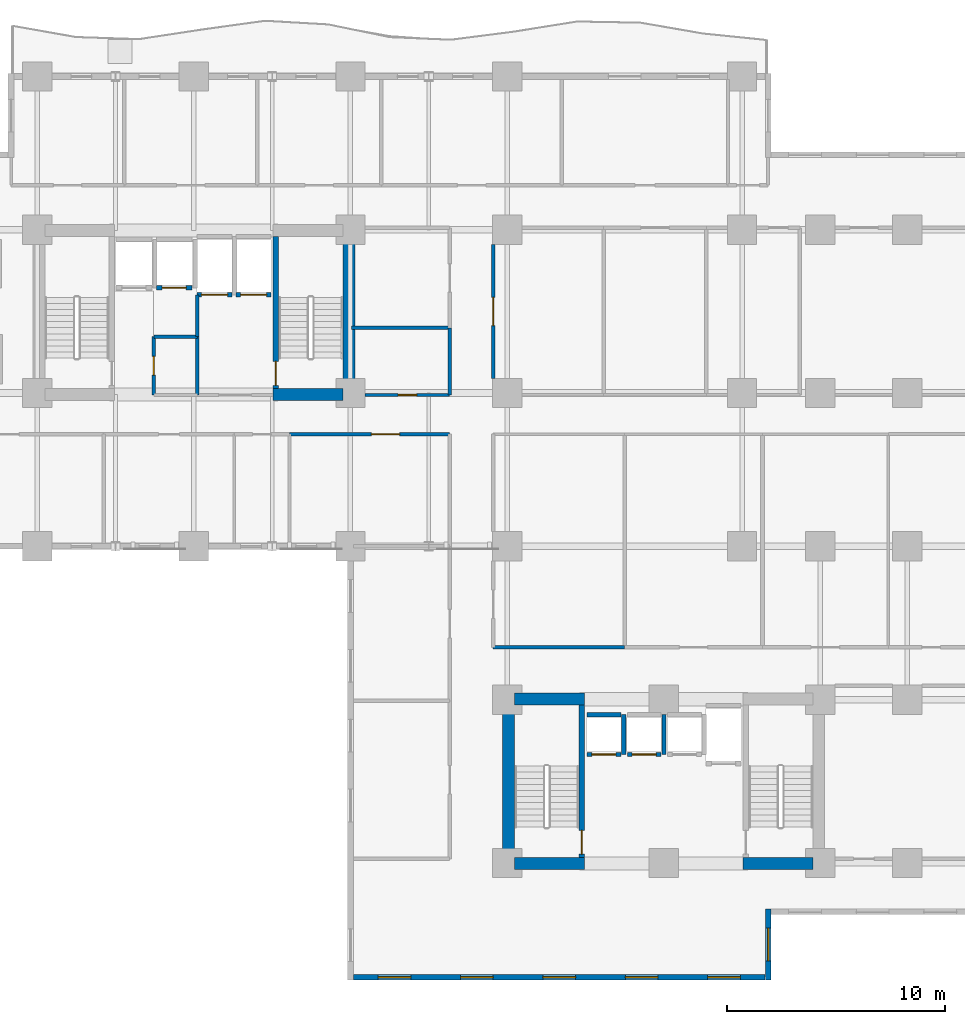
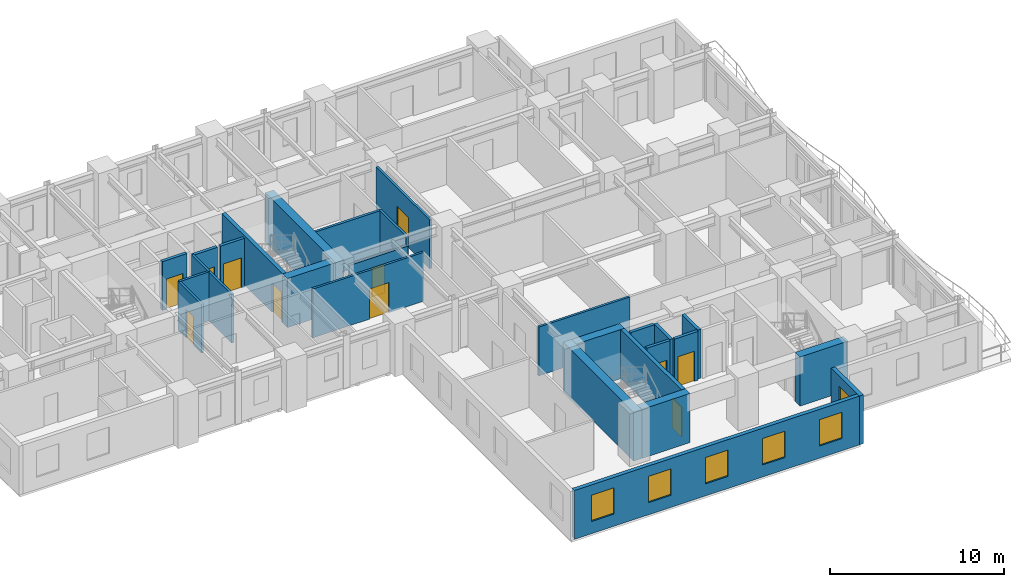
# One storey, part 4 of 11: 28 walls, 11 doors, 6 windows, 17 openings.
"""IFC4 building model written with IfcOpenShell, lengths in metres."""

from ifc_helpers import new_model, si_unit, direction, frame, frame_2d, origin, place, context, subcontext, project, spatial, rectangle, extrude, material, layer, layer_set, type_object, element, fill, save


model = new_model("IFC4")

# Units and contexts
model_context = context("Model", 3, precision=1e-05, world=origin(), true_north=direction((0.0, 1.0)))
body_context = subcontext(model_context, "Body", "Model", "MODEL_VIEW")
ifc_project = project(units=[si_unit("LENGTHUNIT", "METRE"), si_unit("AREAUNIT", "SQUARE_METRE"), si_unit("VOLUMEUNIT", "CUBIC_METRE"), si_unit("PLANEANGLEUNIT", "RADIAN"), si_unit("MASSUNIT", "GRAM", prefix="KILO")], contexts=[model_context])

# Site, building, storey
site_placement = place(None, origin())
site = spatial("IfcSite", under=ifc_project, at=site_placement, CompositionType="ELEMENT")
building_placement = place(site_placement, origin())
building = spatial("IfcBuilding", under=site, at=building_placement, Name="Kaliganga Portal Commons", CompositionType="ELEMENT")
storey_placement = place(building_placement, frame((0.0, 0.0, 66.0)))
storey = spatial("IfcBuildingStorey", under=building, at=storey_placement, Name="L16", CompositionType="ELEMENT", Elevation=66.0)

# Walls
ifc_material_1 = material(Name="Concrete C60/75", Category="concrete")
ifc_layer_1 = layer(ifc_material_1, 0.550048828125)
ifc_layer_set_1 = layer_set([ifc_layer_1], Name="Concrete C60/75")
wall_type_1 = type_object("IfcWallType", Name="WL-CORE-550", PredefinedType="SHEAR", material=ifc_layer_set_1)
wall_1_placement = place(storey_placement, frame((28.72509765625, 28.300048828125, 0.0), z_axis=(0.0, 0.0, 1.0), x_axis=(0.0, 1.0, 0.0)))
element("IfcWall", 1, at=wall_1_placement, inside=storey, type_object=wall_type_1, Name="Core A East Shear Wall L16", PredefinedType="SHEAR", context=body_context, shape_type="SweptSolid", body=[
    extrude(rectangle(XDim=8.099853515625, YDim=0.550048828125, at=frame_2d((4.0498046875, 0.0))), origin(), (0.0, 0.0, 1.0), 3.449951171875),
])
wall_2_placement = place(storey_placement, frame((25.25, 28.574951171875, 0.0), z_axis=(0.0, 0.0, 1.0), x_axis=(1.0, 0.0, 0.0)))
element("IfcWall", 2, at=wall_2_placement, inside=storey, type_object=wall_type_1, Name="Core A S-East Shear Wall L16", PredefinedType="SHEAR", context=body_context, shape_type="SweptSolid", body=[
    extrude(rectangle(XDim=3.199951171875, YDim=0.550048828125, at=frame_2d((1.60009765625, 0.0))), origin(), (0.0, 0.0, 1.0), 3.449951171875),
])
wall_3_placement = place(storey_placement, frame((36.074951171875, 6.75, 0.0), z_axis=(0.0, 0.0, 1.0), x_axis=(0.0, 1.0, 0.0)))
element("IfcWall", 3, at=wall_3_placement, inside=storey, type_object=wall_type_1, Name="Core B West Shear Wall L16", PredefinedType="SHEAR", context=body_context, shape_type="SweptSolid", body=[
    extrude(rectangle(XDim=8.10009765625, YDim=0.550048828125, at=frame_2d((4.050048828125, 0.0))), origin(), (0.0, 0.0, 1.0), 3.449951171875),
])
for number, where, z_axis, x_axis, name in (
    (4, (36.35009765625, 7.02490234375, 0.0), (0.0, 0.0, 1.0), (1.0, 0.0, 0.0), "Core B S-West Shear Wall L16"),
    (5, (46.85009765625, 7.02490234375, 0.0), (0.0, 0.0, 1.0), (1.0, 0.0, 0.0), "Core B S-East Shear Wall L16"),
    (6, (36.35009765625, 14.574951171875, 0.0), (0.0, 0.0, 1.0), (1.0, 0.0, 0.0), "Core B N-West Shear Wall L16"),
):
    element("IfcWall", number, at=place(storey_placement, frame(where, z_axis=z_axis, x_axis=x_axis)), inside=storey, type_object=wall_type_1, Name=name, PredefinedType="SHEAR", context=body_context, shape_type="SweptSolid", body=[
        extrude(rectangle(XDim=3.199951171875, YDim=0.550048828125, at=frame_2d((1.60009765625, 0.0))), origin(), (0.0, 0.0, 1.0), 3.449951171875),
    ])

# Wall, openings, windows
ifc_material_2 = material(Name="Insulated Aluminium-Clad Spandrel Assembly", Category="aluminium")
ifc_layer_2 = layer(ifc_material_2, 0.260009765625)
ifc_layer_set_2 = layer_set([ifc_layer_2], Name="Insulated Aluminium-Clad Spandrel Assembly")
wall_type_2 = type_object("IfcWallType", Name="WL-EXT-SPAND-260", PredefinedType="STANDARD", material=ifc_layer_set_2)
wall_4_placement = place(storey_placement, frame((47.864990234375, 1.800048828125, 0.0), z_axis=(0.0, 0.0, 1.0), x_axis=(-1.0, 0.0, 0.0)))
wall_4 = element("IfcWall", 7, at=wall_4_placement, inside=storey, type_object=wall_type_2, Name="Exterior Envelope Wall L16 P1-E00-S1", PredefinedType="STANDARD", context=body_context, shape_type="SweptSolid", body=[
    extrude(rectangle(XDim=18.929931640625, YDim=0.260009765625, at=frame_2d((9.46484375, 0.0))), origin(), (0.0, 0.0, 1.0), 3.429931640625),
])
opening_1_placement = place(wall_4_placement, frame((1.14306640625, 0.0, 0.85009765625)))
opening_1 = element("IfcOpeningElement", 8, at=opening_1_placement, cuts=wall_4, Name="Opening W-02", PredefinedType="OPENING", context=body_context, shape_type="SweptSolid", body=[
    extrude(rectangle(XDim=1.5, YDim=1.85009765625, at=frame_2d((0.75, 0.925048828125))), frame((0.0, 0.14013671875, 0.0), z_axis=(0.0, -1.0, 0.0), x_axis=(1.0, 0.0, 0.0)), (0.0, 0.0, 1.0), 0.280029296875),
])
opening_2_placement = place(wall_4_placement, frame((4.928955078125, 0.0, 0.85009765625)))
opening_2 = element("IfcOpeningElement", 9, at=opening_2_placement, cuts=wall_4, Name="Opening W-02", PredefinedType="OPENING", context=body_context, shape_type="SweptSolid", body=[
    extrude(rectangle(XDim=1.5, YDim=1.85009765625, at=frame_2d((0.75, 0.925048828125))), frame((0.0, 0.14013671875, 0.0), z_axis=(0.0, -1.0, 0.0), x_axis=(1.0, 0.0, 0.0)), (0.0, 0.0, 1.0), 0.280029296875),
])
opening_3_placement = place(wall_4_placement, frame((8.715087890625, 0.0, 0.85009765625)))
opening_3 = element("IfcOpeningElement", 10, at=opening_3_placement, cuts=wall_4, Name="Opening W-02", PredefinedType="OPENING", context=body_context, shape_type="SweptSolid", body=[
    extrude(rectangle(XDim=1.5, YDim=1.85009765625, at=frame_2d((0.75, 0.925048828125))), frame((0.0, 0.14013671875, 0.0), z_axis=(0.0, -1.0, 0.0), x_axis=(1.0, 0.0, 0.0)), (0.0, 0.0, 1.0), 0.280029296875),
])
opening_4_placement = place(wall_4_placement, frame((12.5009765625, 0.0, 0.85009765625)))
opening_4 = element("IfcOpeningElement", 11, at=opening_4_placement, cuts=wall_4, Name="Opening W-02", PredefinedType="OPENING", context=body_context, shape_type="SweptSolid", body=[
    extrude(rectangle(XDim=1.5, YDim=1.85009765625, at=frame_2d((0.75, 0.925048828125))), frame((0.0, 0.14013671875, 0.0), z_axis=(0.0, -1.0, 0.0), x_axis=(1.0, 0.0, 0.0)), (0.0, 0.0, 1.0), 0.280029296875),
])
opening_5_placement = place(wall_4_placement, frame((16.287109375, 0.0, 0.85009765625)))
opening_5 = element("IfcOpeningElement", 12, at=opening_5_placement, cuts=wall_4, Name="Opening W-02", PredefinedType="OPENING", context=body_context, shape_type="SweptSolid", body=[
    extrude(rectangle(XDim=1.5, YDim=1.85009765625, at=frame_2d((0.75, 0.925048828125))), frame((0.0, 0.14013671875, 0.0), z_axis=(0.0, -1.0, 0.0), x_axis=(1.0, 0.0, 0.0)), (0.0, 0.0, 1.0), 0.280029296875),
])
ifc_material_3 = material(Name="Thermally Broken Aluminium and Low-E Double Glazing", Category="aluminium")
window_type = type_object("IfcWindowType", Name="WIN-STD-1500", PartitioningType="DOUBLE_PANEL_VERTICAL", PredefinedType="WINDOW", material=ifc_material_3)
window_1_placement = place(opening_1_placement, origin())
window_1 = element("IfcWindow", 13, at=window_1_placement, inside=storey, type_object=window_type, Name="Facade Window L16-P1E00S1-00", OverallHeight=1.85009765625, OverallWidth=1.5, PartitioningType="SINGLE_PANEL", PredefinedType="WINDOW", context=body_context, shape_type="SweptSolid", body=[
    extrude(rectangle(XDim=1.5, YDim=1.85009765625, at=frame_2d((0.75, 0.925048828125))), frame((0.0, 0.030029296875, 0.0), z_axis=(0.0, -1.0, 0.0), x_axis=(1.0, 0.0, 0.0)), (0.0, 0.0, 1.0), 0.06005859375),
])
fill(opening_1, window_1)
window_2_placement = place(opening_2_placement, origin())
window_2 = element("IfcWindow", 14, at=window_2_placement, inside=storey, type_object=window_type, Name="Facade Window L16-P1E00S1-01", OverallHeight=1.85009765625, OverallWidth=1.5, PartitioningType="SINGLE_PANEL", PredefinedType="WINDOW", context=body_context, shape_type="SweptSolid", body=[
    extrude(rectangle(XDim=1.5, YDim=1.85009765625, at=frame_2d((0.75, 0.925048828125))), frame((0.0, 0.030029296875, 0.0), z_axis=(0.0, -1.0, 0.0), x_axis=(1.0, 0.0, 0.0)), (0.0, 0.0, 1.0), 0.06005859375),
])
fill(opening_2, window_2)
window_3_placement = place(opening_3_placement, origin())
window_3 = element("IfcWindow", 15, at=window_3_placement, inside=storey, type_object=window_type, Name="Facade Window L16-P1E00S1-02", OverallHeight=1.85009765625, OverallWidth=1.5, PartitioningType="SINGLE_PANEL", PredefinedType="WINDOW", context=body_context, shape_type="SweptSolid", body=[
    extrude(rectangle(XDim=1.5, YDim=1.85009765625, at=frame_2d((0.75, 0.925048828125))), frame((0.0, 0.030029296875, 0.0), z_axis=(0.0, -1.0, 0.0), x_axis=(1.0, 0.0, 0.0)), (0.0, 0.0, 1.0), 0.06005859375),
])
fill(opening_3, window_3)
window_4_placement = place(opening_4_placement, origin())
window_4 = element("IfcWindow", 16, at=window_4_placement, inside=storey, type_object=window_type, Name="Facade Window L16-P1E00S1-03", OverallHeight=1.85009765625, OverallWidth=1.5, PartitioningType="SINGLE_PANEL", PredefinedType="WINDOW", context=body_context, shape_type="SweptSolid", body=[
    extrude(rectangle(XDim=1.5, YDim=1.85009765625, at=frame_2d((0.75, 0.925048828125))), frame((0.0, 0.030029296875, 0.0), z_axis=(0.0, -1.0, 0.0), x_axis=(1.0, 0.0, 0.0)), (0.0, 0.0, 1.0), 0.06005859375),
])
fill(opening_4, window_4)
window_5_placement = place(opening_5_placement, origin())
window_5 = element("IfcWindow", 17, at=window_5_placement, inside=storey, type_object=window_type, Name="Facade Window L16-P1E00S1-04", OverallHeight=1.85009765625, OverallWidth=1.5, PartitioningType="SINGLE_PANEL", PredefinedType="WINDOW", context=body_context, shape_type="SweptSolid", body=[
    extrude(rectangle(XDim=1.5, YDim=1.85009765625, at=frame_2d((0.75, 0.925048828125))), frame((0.0, 0.030029296875, 0.0), z_axis=(0.0, -1.0, 0.0), x_axis=(1.0, 0.0, 0.0)), (0.0, 0.0, 1.0), 0.06005859375),
])
fill(opening_5, window_5)

# Wall, opening, window
wall_5_placement = place(storey_placement, frame((48.0, 4.929931640625, 0.0), z_axis=(0.0, 0.0, 1.0), x_axis=(0.0, -1.0, 0.0)))
wall_5 = element("IfcWall", 18, at=wall_5_placement, inside=storey, type_object=wall_type_2, Name="Exterior Envelope Wall L16 P1-E01-S1", PredefinedType="STANDARD", context=body_context, shape_type="SweptSolid", body=[
    extrude(rectangle(XDim=3.260009765625, YDim=0.260009765625, at=frame_2d((1.6298828125, 0.0))), origin(), (0.0, 0.0, 1.0), 3.429931640625),
])
opening_6_placement = place(wall_5_placement, frame((0.8798828125, 0.0, 0.85009765625)))
opening_6 = element("IfcOpeningElement", 19, at=opening_6_placement, cuts=wall_5, Name="Opening W-02", PredefinedType="OPENING", context=body_context, shape_type="SweptSolid", body=[
    extrude(rectangle(XDim=1.5, YDim=1.85009765625, at=frame_2d((0.75, 0.925048828125))), frame((0.0, 0.14013671875, 0.0), z_axis=(0.0, -1.0, 0.0), x_axis=(1.0, 0.0, 0.0)), (0.0, 0.0, 1.0), 0.280029296875),
])
window_6_placement = place(opening_6_placement, origin())
window_6 = element("IfcWindow", 20, at=window_6_placement, inside=storey, type_object=window_type, Name="Facade Window L16-P1E01S1-00", OverallHeight=1.85009765625, OverallWidth=1.5, PartitioningType="SINGLE_PANEL", PredefinedType="WINDOW", context=body_context, shape_type="SweptSolid", body=[
    extrude(rectangle(XDim=1.5, YDim=1.85009765625, at=frame_2d((0.75, 0.925048828125))), frame((0.0, 0.030029296875, 0.0), z_axis=(0.0, -1.0, 0.0), x_axis=(1.0, 0.0, 0.0)), (0.0, 0.0, 1.0), 0.06005859375),
])
fill(opening_6, window_6)

# Wall, opening, door
ifc_material_4 = material(Name="Fire-Rated Gypsum Board on Steel Stud", Category="steel")
ifc_layer_3 = layer(ifc_material_4, 0.14990234375)
ifc_layer_set_3 = layer_set([ifc_layer_3], Name="Fire-Rated Gypsum Board on Steel Stud")
wall_type_3 = type_object("IfcWallType", Name="WL-PART-CORR-150", PredefinedType="PARTITIONING", material=ifc_layer_set_3)
wall_6_placement = place(storey_placement, frame((35.360107421875, 29.324951171875, 0.0), z_axis=(0.0, 0.0, 1.0), x_axis=(0.0, 1.0, 0.0)))
wall_6 = element("IfcWall", 21, at=wall_6_placement, inside=storey, type_object=wall_type_3, Name="Interior Partition L16-010", PredefinedType="PARTITIONING", context=body_context, shape_type="SweptSolid", body=[
    extrude(rectangle(XDim=6.150146484375, YDim=0.14990234375, at=frame_2d((3.0751953125, 0.0))), origin(), (0.0, 0.0, 1.0), 3.429931640625),
])
opening_7_placement = place(wall_6_placement, frame((2.425048828125, 0.0, 0.0)))
opening_7 = element("IfcOpeningElement", 22, at=opening_7_placement, cuts=wall_6, Name="Opening RD-03", PredefinedType="OPENING", context=body_context, shape_type="SweptSolid", body=[
    extrude(rectangle(XDim=1.300048828125, YDim=2.1201171875, at=frame_2d((0.64990234375, 1.06005859375))), frame((0.0, 0.0849609375, 0.0), z_axis=(0.0, -1.0, 0.0), x_axis=(1.0, 0.0, 0.0)), (0.0, 0.0, 1.0), 0.169921875),
])
ifc_material_5 = material(Name="Glazed Timber Seminar Vision Door", Category="wood")
door_type_1 = type_object("IfcDoorType", Name="DR-STUDY-1300", OperationType="DOUBLE_DOOR_SINGLE_SWING", PredefinedType="DOOR", material=ifc_material_5)
door_1_placement = place(opening_7_placement, origin())
door_1 = element("IfcDoor", 23, at=door_1_placement, inside=storey, type_object=door_type_1, Name="Interior Door L16-BK01", OperationType="DOUBLE_DOOR_SINGLE_SWING", OverallHeight=2.1201171875, OverallWidth=1.300048828125, PredefinedType="DOOR", context=body_context, shape_type="SweptSolid", body=[
    extrude(rectangle(XDim=1.300048828125, YDim=2.1201171875, at=frame_2d((0.64990234375, 1.06005859375))), frame((0.0, 0.02490234375, 0.0), z_axis=(0.0, -1.0, 0.0), x_axis=(1.0, 0.0, 0.0)), (0.0, 0.0, 1.0), 0.050048828125),
])
fill(opening_7, door_1)

wall_7_placement = place(storey_placement, frame((26.0, 26.760009765625, 0.0), z_axis=(0.0, 0.0, 1.0), x_axis=(1.0, 0.0, 0.0)))
wall_7 = element("IfcWall", 24, at=wall_7_placement, inside=storey, type_object=wall_type_3, Name="Interior Partition L16-012", PredefinedType="PARTITIONING", context=body_context, shape_type="SweptSolid", body=[
    extrude(rectangle(XDim=7.360107421875, YDim=0.14990234375, at=frame_2d((3.68017578125, 0.0))), origin(), (0.0, 0.0, 1.0), 3.429931640625),
])
opening_8_placement = place(wall_7_placement, frame((3.76611328125, 0.0, 0.0)))
opening_8 = element("IfcOpeningElement", 25, at=opening_8_placement, cuts=wall_7, Name="Opening RD-03", PredefinedType="OPENING", context=body_context, shape_type="SweptSolid", body=[
    extrude(rectangle(XDim=1.300048828125, YDim=2.1201171875, at=frame_2d((0.64990234375, 1.06005859375))), frame((0.0, 0.0849609375, 0.0), z_axis=(0.0, -1.0, 0.0), x_axis=(1.0, 0.0, 0.0)), (0.0, 0.0, 1.0), 0.169921875),
])
door_2_placement = place(opening_8_placement, origin())
door_2 = element("IfcDoor", 26, at=door_2_placement, inside=storey, type_object=door_type_1, Name="Interior Door L16-AS05", OperationType="DOUBLE_DOOR_SINGLE_SWING", OverallHeight=2.1201171875, OverallWidth=1.300048828125, PredefinedType="DOOR", context=body_context, shape_type="SweptSolid", body=[
    extrude(rectangle(XDim=1.300048828125, YDim=2.1201171875, at=frame_2d((0.64990234375, 1.06005859375))), frame((0.0, 0.02490234375, 0.0), z_axis=(0.0, -1.0, 0.0), x_axis=(1.0, 0.0, 0.0)), (0.0, 0.0, 1.0), 0.050048828125),
])
fill(opening_8, door_2)

# Wall
wall_8_placement = place(storey_placement, frame((35.360107421875, 16.9599609375, 0.0), z_axis=(0.0, 0.0, 1.0), x_axis=(1.0, 0.0, 0.0)))
element("IfcWall", 27, at=wall_8_placement, inside=storey, type_object=wall_type_3, Name="Interior Partition L16-021", PredefinedType="PARTITIONING", context=body_context, shape_type="SweptSolid", body=[
    extrude(rectangle(XDim=6.039794921875, YDim=0.14990234375, at=frame_2d((3.02001953125, 0.0))), origin(), (0.0, 0.0, 1.0), 3.429931640625),
])

# Wall, opening, door
wall_9_placement = place(storey_placement, frame((29.47509765625, 28.56005859375, 0.0), z_axis=(0.0, 0.0, 1.0), x_axis=(1.0, 0.0, 0.0)))
wall_9 = element("IfcWall", 28, at=wall_9_placement, inside=storey, type_object=wall_type_3, Name="Interior Partition L16-034", PredefinedType="PARTITIONING", context=body_context, shape_type="SweptSolid", body=[
    extrude(rectangle(XDim=3.885009765625, YDim=0.14990234375, at=frame_2d((1.9423828125, 0.0))), origin(), (0.0, 0.0, 1.0), 2.780029296875),
])
opening_9_placement = place(wall_9_placement, frame((1.512451171875, 0.0, 0.0)))
opening_9 = element("IfcOpeningElement", 29, at=opening_9_placement, cuts=wall_9, Name="Opening WD-02", PredefinedType="OPENING", context=body_context, shape_type="SweptSolid", body=[
    extrude(rectangle(XDim=0.860107421875, YDim=2.02001953125, at=frame_2d((0.43017578125, 1.010009765625))), frame((0.0, 0.0849609375, 0.0), z_axis=(0.0, -1.0, 0.0), x_axis=(1.0, 0.0, 0.0)), (0.0, 0.0, 1.0), 0.169921875),
])
ifc_material_6 = material(Name="Fire-Rated Utility Closet Door", Category="wood")
door_type_2 = type_object("IfcDoorType", Name="DR-STORE-800", OperationType="NOTDEFINED", PredefinedType="DOOR", material=ifc_material_6)
door_3_placement = place(opening_9_placement, origin())
door_3 = element("IfcDoor", 30, at=door_3_placement, inside=storey, type_object=door_type_2, Name="Interior Door L16-CSRV_A1", OperationType="SINGLE_SWING_LEFT", OverallHeight=2.02001953125, OverallWidth=0.860107421875, PredefinedType="DOOR", context=body_context, shape_type="SweptSolid", body=[
    extrude(rectangle(XDim=0.860107421875, YDim=2.02001953125, at=frame_2d((0.43017578125, 1.010009765625))), frame((0.0, 0.02490234375, 0.0), z_axis=(0.0, -1.0, 0.0), x_axis=(1.0, 0.0, 0.0)), (0.0, 0.0, 1.0), 0.050048828125),
])
fill(opening_9, door_3)

# Wall
wall_10_placement = place(storey_placement, frame((33.360107421875, 28.56005859375, 0.0), z_axis=(0.0, 0.0, 1.0), x_axis=(0.0, 1.0, 0.0)))
element("IfcWall", 31, at=wall_10_placement, inside=storey, type_object=wall_type_3, Name="Interior Partition L16-041", PredefinedType="PARTITIONING", context=body_context, shape_type="SweptSolid", body=[
    extrude(rectangle(XDim=3.079833984375, YDim=0.14990234375, at=frame_2d((1.5400390625, 0.0))), origin(), (0.0, 0.0, 1.0), 3.429931640625),
])

# Wall, opening, door
wall_11_placement = place(storey_placement, frame((19.760009765625, 28.56005859375, 0.0), z_axis=(0.0, 0.0, 1.0), x_axis=(0.0, 1.0, 0.0)))
wall_11 = element("IfcWall", 32, at=wall_11_placement, inside=storey, type_object=wall_type_3, Name="Interior Partition L16-042", PredefinedType="PARTITIONING", context=body_context, shape_type="SweptSolid", body=[
    extrude(rectangle(XDim=2.679931640625, YDim=0.14990234375, at=frame_2d((1.33984375, 0.0))), origin(), (0.0, 0.0, 1.0), 3.429931640625),
])
opening_10_placement = place(wall_11_placement, frame((0.909912109375, 0.0, 0.0)))
opening_10 = element("IfcOpeningElement", 33, at=opening_10_placement, cuts=wall_11, Name="Opening WD-02", PredefinedType="OPENING", context=body_context, shape_type="SweptSolid", body=[
    extrude(rectangle(XDim=0.860107421875, YDim=2.02001953125, at=frame_2d((0.43017578125, 1.010009765625))), frame((0.0, 0.0849609375, 0.0), z_axis=(0.0, -1.0, 0.0), x_axis=(1.0, 0.0, 0.0)), (0.0, 0.0, 1.0), 0.169921875),
])
door_4_placement = place(opening_10_placement, origin())
door_4 = element("IfcDoor", 34, at=door_4_placement, inside=storey, type_object=door_type_2, Name="Interior Door L16-CIN_A1", OperationType="SINGLE_SWING_RIGHT", OverallHeight=2.02001953125, OverallWidth=0.860107421875, PredefinedType="DOOR", context=body_context, shape_type="SweptSolid", body=[
    extrude(rectangle(XDim=0.860107421875, YDim=2.02001953125, at=frame_2d((0.43017578125, 1.010009765625))), frame((0.0, 0.02490234375, 0.0), z_axis=(0.0, -1.0, 0.0), x_axis=(1.0, 0.0, 0.0)), (0.0, 0.0, 1.0), 0.050048828125),
])
fill(opening_10, door_4)

# Walls
wall_12_placement = place(storey_placement, frame((21.760009765625, 28.56005859375, 0.0), z_axis=(0.0, 0.0, 1.0), x_axis=(0.0, 1.0, 0.0)))
element("IfcWall", 35, at=wall_12_placement, inside=storey, type_object=wall_type_3, Name="Interior Partition L16-043", PredefinedType="PARTITIONING", context=body_context, shape_type="SweptSolid", body=[
    extrude(rectangle(XDim=2.679931640625, YDim=0.14990234375, at=frame_2d((1.33984375, 0.0))), origin(), (0.0, 0.0, 1.0), 3.429931640625),
])
wall_13_placement = place(storey_placement, frame((19.760009765625, 31.239990234375, 0.0), z_axis=(0.0, 0.0, 1.0), x_axis=(1.0, 0.0, 0.0)))
element("IfcWall", 36, at=wall_13_placement, inside=storey, type_object=wall_type_3, Name="Interior Partition L16-046", PredefinedType="PARTITIONING", context=body_context, shape_type="SweptSolid", body=[
    extrude(rectangle(XDim=2.0, YDim=0.14990234375, at=frame_2d((1.0, 0.0))), origin(), (0.0, 0.0, 1.0), 3.429931640625),
])
wall_14_placement = place(storey_placement, frame((21.760009765625, 31.239990234375, 0.0), z_axis=(0.0, 0.0, 1.0), x_axis=(0.0, 1.0, 0.0)))
element("IfcWall", 37, at=wall_14_placement, inside=storey, type_object=wall_type_3, Name="Interior Partition L16-082", PredefinedType="PARTITIONING", context=body_context, shape_type="SweptSolid", body=[
    extrude(rectangle(XDim=1.919921875, YDim=0.14990234375, at=frame_2d((0.9599609375, 0.0))), origin(), (0.0, 0.0, 1.0), 3.429931640625),
])
ifc_material_7 = material(Name="Twin-Stud Acoustic Gypsum Partition", Category="gypsum")
ifc_layer_4 = layer(ifc_material_7, 0.1650390625)
ifc_layer_set_4 = layer_set([ifc_layer_4], Name="Twin-Stud Acoustic Gypsum Partition")
wall_type_4 = type_object("IfcWallType", Name="WL-PART-UNIT-165", PredefinedType="PARTITIONING", material=ifc_layer_set_4)
wall_15_placement = place(storey_placement, frame((28.840087890625, 31.639892578125, 0.0), z_axis=(0.0, 0.0, 1.0), x_axis=(1.0, 0.0, 0.0)))
element("IfcWall", 38, at=wall_15_placement, inside=storey, type_object=wall_type_4, Name="Interior Partition L16-076", PredefinedType="PARTITIONING", context=body_context, shape_type="SweptSolid", body=[
    extrude(rectangle(XDim=4.52001953125, YDim=0.1650390625, at=frame_2d((2.260009765625, 0.0))), origin(), (0.0, 0.0, 1.0), 3.429931640625),
])

# Wall, opening, door
ifc_material_8 = material(Name="Fire-Rated Shaftwall Masonry Assembly", Category="masonry")
ifc_layer_5 = layer(ifc_material_8, 0.199951171875)
ifc_layer_set_5 = layer_set([ifc_layer_5], Name="Fire-Rated Shaftwall Masonry Assembly")
wall_type_5 = type_object("IfcWallType", Name="WL-SHAFT-200", PredefinedType="PARTITIONING", material=ifc_layer_set_5)
wall_16_placement = place(storey_placement, frame((19.875, 33.485107421875, 0.0), z_axis=(0.0, 0.0, 1.0), x_axis=(1.0, 0.0, 0.0)))
wall_16 = element("IfcWall", 39, at=wall_16_placement, inside=storey, type_object=wall_type_5, Name="Lift PL-A2 Hoistway Shaft Wall L16-S", PredefinedType="PARTITIONING", context=body_context, shape_type="SweptSolid", body=[
    extrude(rectangle(XDim=1.64990234375, YDim=0.199951171875, at=frame_2d((0.824951171875, 0.0))), origin(), (0.0, 0.0, 1.0), 3.429931640625),
])
opening_11_placement = place(wall_16_placement, frame((0.27490234375, 0.0, 0.0)))
opening_11 = element("IfcOpeningElement", 40, at=opening_11_placement, cuts=wall_16, Name="Opening LD-01", PredefinedType="OPENING", context=body_context, shape_type="SweptSolid", body=[
    extrude(rectangle(XDim=1.10009765625, YDim=2.1201171875, at=frame_2d((0.550048828125, 1.06005859375))), frame((0.0, 0.10986328125, 0.0), z_axis=(0.0, -1.0, 0.0), x_axis=(1.0, 0.0, 0.0)), (0.0, 0.0, 1.0), 0.219970703125),
])
ifc_material_9 = material(Name="Brushed Stainless Steel 316 Lift Landing Door", Category="steel")
door_type_3 = type_object("IfcDoorType", Name="DR-LIFT-1100", OperationType="SLIDING_TO_LEFT", PredefinedType="DOOR", material=ifc_material_9)
door_5_placement = place(opening_11_placement, origin())
door_5 = element("IfcDoor", 41, at=door_5_placement, inside=storey, type_object=door_type_3, Name="Lift PL-A2 Sliding Landing Door L16", OperationType="SLIDING_TO_LEFT", OverallHeight=2.1201171875, OverallWidth=1.10009765625, PredefinedType="DOOR", context=body_context, shape_type="SweptSolid", body=[
    extrude(rectangle(XDim=1.10009765625, YDim=2.1201171875, at=frame_2d((0.550048828125, 1.06005859375))), frame((0.0, 0.02490234375, 0.0), z_axis=(0.0, -1.0, 0.0), x_axis=(1.0, 0.0, 0.0)), (0.0, 0.0, 1.0), 0.050048828125),
])
fill(opening_11, door_5)

wall_17_placement = place(storey_placement, frame((21.75, 33.159912109375, 0.0), z_axis=(0.0, 0.0, 1.0), x_axis=(1.0, 0.0, 0.0)))
wall_17 = element("IfcWall", 42, at=wall_17_placement, inside=storey, type_object=wall_type_5, Name="Lift FFL-1 Hoistway Shaft Wall L16-S", PredefinedType="PARTITIONING", context=body_context, shape_type="SweptSolid", body=[
    extrude(rectangle(XDim=1.60009765625, YDim=0.199951171875, at=frame_2d((0.800048828125, 0.0))), origin(), (0.0, 0.0, 1.0), 3.429931640625),
])
opening_12_placement = place(wall_17_placement, frame((0.199951171875, 0.0, 0.0)))
opening_12 = element("IfcOpeningElement", 43, at=opening_12_placement, cuts=wall_17, Name="Opening LD-02", PredefinedType="OPENING", context=body_context, shape_type="SweptSolid", body=[
    extrude(rectangle(XDim=1.199951171875, YDim=2.1201171875, at=frame_2d((0.60009765625, 1.06005859375))), frame((0.0, 0.10986328125, 0.0), z_axis=(0.0, -1.0, 0.0), x_axis=(1.0, 0.0, 0.0)), (0.0, 0.0, 1.0), 0.219970703125),
])
ifc_material_10 = material(Name="Brushed Stainless Steel 316 Stretcher Lift Landing Door", Category="steel")
door_type_4 = type_object("IfcDoorType", Name="DR-LIFT-1200", OperationType="SLIDING_TO_RIGHT", PredefinedType="DOOR", material=ifc_material_10)
door_6_placement = place(opening_12_placement, origin())
door_6 = element("IfcDoor", 44, at=door_6_placement, inside=storey, type_object=door_type_4, Name="Lift FFL-1 Sliding Landing Door L16", OperationType="SLIDING_TO_RIGHT", OverallHeight=2.1201171875, OverallWidth=1.199951171875, PredefinedType="DOOR", context=body_context, shape_type="SweptSolid", body=[
    extrude(rectangle(XDim=1.199951171875, YDim=2.1201171875, at=frame_2d((0.60009765625, 1.06005859375))), frame((0.0, 0.02490234375, 0.0), z_axis=(0.0, -1.0, 0.0), x_axis=(1.0, 0.0, 0.0)), (0.0, 0.0, 1.0), 0.050048828125),
])
fill(opening_12, door_6)

wall_18_placement = place(storey_placement, frame((23.550048828125, 33.159912109375, 0.0), z_axis=(0.0, 0.0, 1.0), x_axis=(1.0, 0.0, 0.0)))
wall_18 = element("IfcWall", 45, at=wall_18_placement, inside=storey, type_object=wall_type_5, Name="Lift FFL-2 Hoistway Shaft Wall L16-S", PredefinedType="PARTITIONING", context=body_context, shape_type="SweptSolid", body=[
    extrude(rectangle(XDim=1.599853515625, YDim=0.199951171875, at=frame_2d((0.7998046875, 0.0))), origin(), (0.0, 0.0, 1.0), 3.429931640625),
])
opening_13_placement = place(wall_18_placement, frame((0.199951171875, 0.0, 0.0)))
opening_13 = element("IfcOpeningElement", 46, at=opening_13_placement, cuts=wall_18, Name="Opening LD-02", PredefinedType="OPENING", context=body_context, shape_type="SweptSolid", body=[
    extrude(rectangle(XDim=1.199951171875, YDim=2.1201171875, at=frame_2d((0.60009765625, 1.06005859375))), frame((0.0, 0.10986328125, 0.0), z_axis=(0.0, -1.0, 0.0), x_axis=(1.0, 0.0, 0.0)), (0.0, 0.0, 1.0), 0.219970703125),
])
door_7_placement = place(opening_13_placement, origin())
door_7 = element("IfcDoor", 47, at=door_7_placement, inside=storey, type_object=door_type_4, Name="Lift FFL-2 Sliding Landing Door L16", OperationType="SLIDING_TO_RIGHT", OverallHeight=2.1201171875, OverallWidth=1.199951171875, PredefinedType="DOOR", context=body_context, shape_type="SweptSolid", body=[
    extrude(rectangle(XDim=1.199951171875, YDim=2.1201171875, at=frame_2d((0.60009765625, 1.06005859375))), frame((0.0, 0.02490234375, 0.0), z_axis=(0.0, -1.0, 0.0), x_axis=(1.0, 0.0, 0.0)), (0.0, 0.0, 1.0), 0.050048828125),
])
fill(opening_13, door_7)

wall_19_placement = place(storey_placement, frame((39.675048828125, 12.034912109375, 0.0), z_axis=(0.0, 0.0, 1.0), x_axis=(1.0, 0.0, 0.0)))
wall_19 = element("IfcWall", 48, at=wall_19_placement, inside=storey, type_object=wall_type_5, Name="Lift PL-B1 Hoistway Shaft Wall L16-S", PredefinedType="PARTITIONING", context=body_context, shape_type="SweptSolid", body=[
    extrude(rectangle(XDim=1.550048828125, YDim=0.199951171875, at=frame_2d((0.77490234375, 0.0))), origin(), (0.0, 0.0, 1.0), 3.429931640625),
])
opening_14_placement = place(wall_19_placement, frame((0.22509765625, 0.0, 0.0)))
opening_14 = element("IfcOpeningElement", 49, at=opening_14_placement, cuts=wall_19, Name="Opening LD-01", PredefinedType="OPENING", context=body_context, shape_type="SweptSolid", body=[
    extrude(rectangle(XDim=1.10009765625, YDim=2.1201171875, at=frame_2d((0.550048828125, 1.06005859375))), frame((0.0, 0.10986328125, 0.0), z_axis=(0.0, -1.0, 0.0), x_axis=(1.0, 0.0, 0.0)), (0.0, 0.0, 1.0), 0.219970703125),
])
door_8_placement = place(opening_14_placement, origin())
door_8 = element("IfcDoor", 50, at=door_8_placement, inside=storey, type_object=door_type_3, Name="Lift PL-B1 Sliding Landing Door L16", OperationType="SLIDING_TO_LEFT", OverallHeight=2.1201171875, OverallWidth=1.10009765625, PredefinedType="DOOR", context=body_context, shape_type="SweptSolid", body=[
    extrude(rectangle(XDim=1.10009765625, YDim=2.1201171875, at=frame_2d((0.550048828125, 1.06005859375))), frame((0.0, 0.02490234375, 0.0), z_axis=(0.0, -1.0, 0.0), x_axis=(1.0, 0.0, 0.0)), (0.0, 0.0, 1.0), 0.050048828125),
])
fill(opening_14, door_8)

# Walls
wall_20_placement = place(storey_placement, frame((39.675048828125, 13.864990234375, 0.0), z_axis=(0.0, 0.0, 1.0), x_axis=(1.0, 0.0, 0.0)))
element("IfcWall", 51, at=wall_20_placement, inside=storey, type_object=wall_type_5, Name="Lift PL-B1 Hoistway Shaft Wall L16-N", PredefinedType="PARTITIONING", context=body_context, shape_type="SweptSolid", body=[
    extrude(rectangle(XDim=1.550048828125, YDim=0.199951171875, at=frame_2d((0.77490234375, 0.0))), origin(), (0.0, 0.0, 1.0), 3.429931640625),
])
wall_21_placement = place(storey_placement, frame((41.364990234375, 12.034912109375, 0.0), z_axis=(0.0, 0.0, 1.0), x_axis=(0.0, 1.0, 0.0)))
element("IfcWall", 52, at=wall_21_placement, inside=storey, type_object=wall_type_5, Name="Lift PL-B1 Hoistway Shaft Wall L16-E", PredefinedType="PARTITIONING", context=body_context, shape_type="SweptSolid", body=[
    extrude(rectangle(XDim=1.830078125, YDim=0.199951171875, at=frame_2d((0.9150390625, 0.0))), origin(), (0.0, 0.0, 1.0), 3.429931640625),
])

# Wall, opening, door
wall_22_placement = place(storey_placement, frame((41.52490234375, 12.034912109375, 0.0), z_axis=(0.0, 0.0, 1.0), x_axis=(1.0, 0.0, 0.0)))
wall_22 = element("IfcWall", 53, at=wall_22_placement, inside=storey, type_object=wall_type_5, Name="Lift PL-B2 Hoistway Shaft Wall L16-S", PredefinedType="PARTITIONING", context=body_context, shape_type="SweptSolid", body=[
    extrude(rectangle(XDim=1.550048828125, YDim=0.199951171875, at=frame_2d((0.77490234375, 0.0))), origin(), (0.0, 0.0, 1.0), 3.429931640625),
])
opening_15_placement = place(wall_22_placement, frame((0.22509765625, 0.0, 0.0)))
opening_15 = element("IfcOpeningElement", 54, at=opening_15_placement, cuts=wall_22, Name="Opening LD-01", PredefinedType="OPENING", context=body_context, shape_type="SweptSolid", body=[
    extrude(rectangle(XDim=1.10009765625, YDim=2.1201171875, at=frame_2d((0.550048828125, 1.06005859375))), frame((0.0, 0.10986328125, 0.0), z_axis=(0.0, -1.0, 0.0), x_axis=(1.0, 0.0, 0.0)), (0.0, 0.0, 1.0), 0.219970703125),
])
door_9_placement = place(opening_15_placement, origin())
door_9 = element("IfcDoor", 55, at=door_9_placement, inside=storey, type_object=door_type_3, Name="Lift PL-B2 Sliding Landing Door L16", OperationType="SLIDING_TO_LEFT", OverallHeight=2.1201171875, OverallWidth=1.10009765625, PredefinedType="DOOR", context=body_context, shape_type="SweptSolid", body=[
    extrude(rectangle(XDim=1.10009765625, YDim=2.1201171875, at=frame_2d((0.550048828125, 1.06005859375))), frame((0.0, 0.02490234375, 0.0), z_axis=(0.0, -1.0, 0.0), x_axis=(1.0, 0.0, 0.0)), (0.0, 0.0, 1.0), 0.050048828125),
])
fill(opening_15, door_9)

# Wall
wall_23_placement = place(storey_placement, frame((43.215087890625, 12.034912109375, 0.0), z_axis=(0.0, 0.0, 1.0), x_axis=(0.0, 1.0, 0.0)))
element("IfcWall", 56, at=wall_23_placement, inside=storey, type_object=wall_type_5, Name="Lift PL-B2 Hoistway Shaft Wall L16-E", PredefinedType="PARTITIONING", context=body_context, shape_type="SweptSolid", body=[
    extrude(rectangle(XDim=1.830078125, YDim=0.199951171875, at=frame_2d((0.9150390625, 0.0))), origin(), (0.0, 0.0, 1.0), 3.429931640625),
])

# Wall, opening, door
ifc_material_11 = material(Name="Concrete C50/60", Category="concrete")
ifc_layer_6 = layer(ifc_material_11, 0.25)
ifc_layer_set_6 = layer_set([ifc_layer_6], Name="Concrete C50/60")
wall_type_6 = type_object("IfcWallType", Name="WL-STAIR-250", PredefinedType="SHEAR", material=ifc_layer_set_6)
wall_24_placement = place(storey_placement, frame((25.375, 28.85009765625, 0.0), z_axis=(0.0, 0.0, 1.0), x_axis=(0.0, 1.0, 0.0)))
wall_24 = element("IfcWall", 57, at=wall_24_placement, inside=storey, type_object=wall_type_6, Name="Stair A2 Enclosure Shear Wall L16", PredefinedType="SHEAR", context=body_context, shape_type="SweptSolid", body=[
    extrude(rectangle(XDim=7.0, YDim=0.25, at=frame_2d((3.5, 0.0))), origin(), (0.0, 0.0, 1.0), 3.449951171875),
])
opening_16_placement = place(wall_24_placement, frame((0.14990234375, 0.0, 0.0)))
opening_16 = element("IfcOpeningElement", 58, at=opening_16_placement, cuts=wall_24, Name="Opening SD-01", PredefinedType="OPENING", context=body_context, shape_type="SweptSolid", body=[
    extrude(rectangle(XDim=1.10009765625, YDim=2.080078125, at=frame_2d((0.550048828125, 1.0400390625))), frame((0.0, 0.135009765625, 0.0), z_axis=(0.0, -1.0, 0.0), x_axis=(1.0, 0.0, 0.0)), (0.0, 0.0, 1.0), 0.27001953125),
])
ifc_material_12 = material(Name="Galvanized Steel Fire Door Leaf and Frame", Category="steel")
door_type_5 = type_object("IfcDoorType", Name="DR-STAIR-1100", OperationType="NOTDEFINED", PredefinedType="DOOR", material=ifc_material_12)
door_10_placement = place(opening_16_placement, origin())
door_10 = element("IfcDoor", 59, at=door_10_placement, inside=storey, type_object=door_type_5, Name="Protected Stair ST-A2 Fire Door L16", OperationType="SINGLE_SWING_LEFT", OverallHeight=2.080078125, OverallWidth=1.10009765625, PredefinedType="DOOR", context=body_context, shape_type="SweptSolid", body=[
    extrude(rectangle(XDim=1.10009765625, YDim=2.080078125, at=frame_2d((0.550048828125, 1.0400390625))), frame((0.0, 0.02490234375, 0.0), z_axis=(0.0, -1.0, 0.0), x_axis=(1.0, 0.0, 0.0)), (0.0, 0.0, 1.0), 0.050048828125),
])
fill(opening_16, door_10)

wall_25_placement = place(storey_placement, frame((39.425048828125, 7.300048828125, 0.0), z_axis=(0.0, 0.0, 1.0), x_axis=(0.0, 1.0, 0.0)))
wall_25 = element("IfcWall", 60, at=wall_25_placement, inside=storey, type_object=wall_type_6, Name="Stair B1 Enclosure Shear Wall L16", PredefinedType="SHEAR", context=body_context, shape_type="SweptSolid", body=[
    extrude(rectangle(XDim=7.0, YDim=0.25, at=frame_2d((3.5, 0.0))), origin(), (0.0, 0.0, 1.0), 3.449951171875),
])
opening_17_placement = place(wall_25_placement, frame((0.14990234375, 0.0, 0.0)))
opening_17 = element("IfcOpeningElement", 61, at=opening_17_placement, cuts=wall_25, Name="Opening SD-01", PredefinedType="OPENING", context=body_context, shape_type="SweptSolid", body=[
    extrude(rectangle(XDim=1.10009765625, YDim=2.080078125, at=frame_2d((0.550048828125, 1.0400390625))), frame((0.0, 0.135009765625, 0.0), z_axis=(0.0, -1.0, 0.0), x_axis=(1.0, 0.0, 0.0)), (0.0, 0.0, 1.0), 0.27001953125),
])
door_11_placement = place(opening_17_placement, origin())
door_11 = element("IfcDoor", 62, at=door_11_placement, inside=storey, type_object=door_type_5, Name="Protected Stair ST-B1 Fire Door L16", OperationType="SINGLE_SWING_RIGHT", OverallHeight=2.080078125, OverallWidth=1.10009765625, PredefinedType="DOOR", context=body_context, shape_type="SweptSolid", body=[
    extrude(rectangle(XDim=1.10009765625, YDim=2.080078125, at=frame_2d((0.550048828125, 1.0400390625))), frame((0.0, 0.02490234375, 0.0), z_axis=(0.0, -1.0, 0.0), x_axis=(1.0, 0.0, 0.0)), (0.0, 0.0, 1.0), 0.050048828125),
])
fill(opening_17, door_11)

save(model, "model.ifc")
